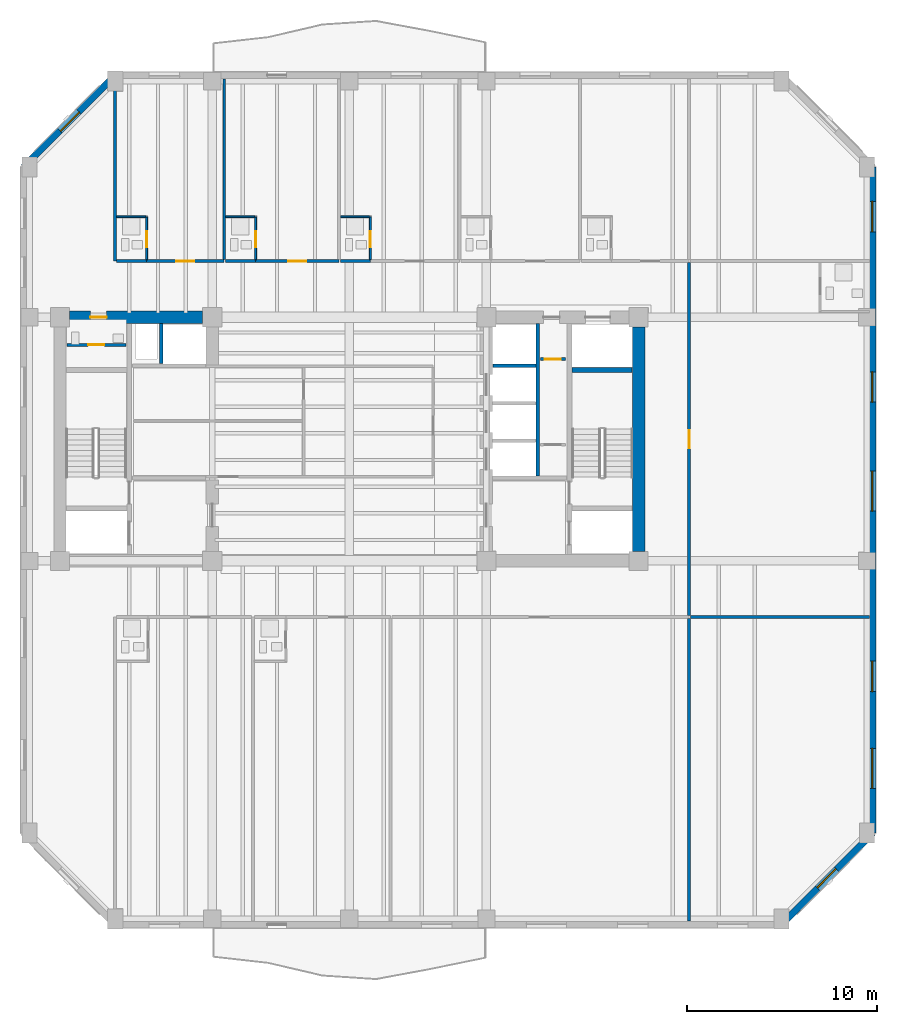
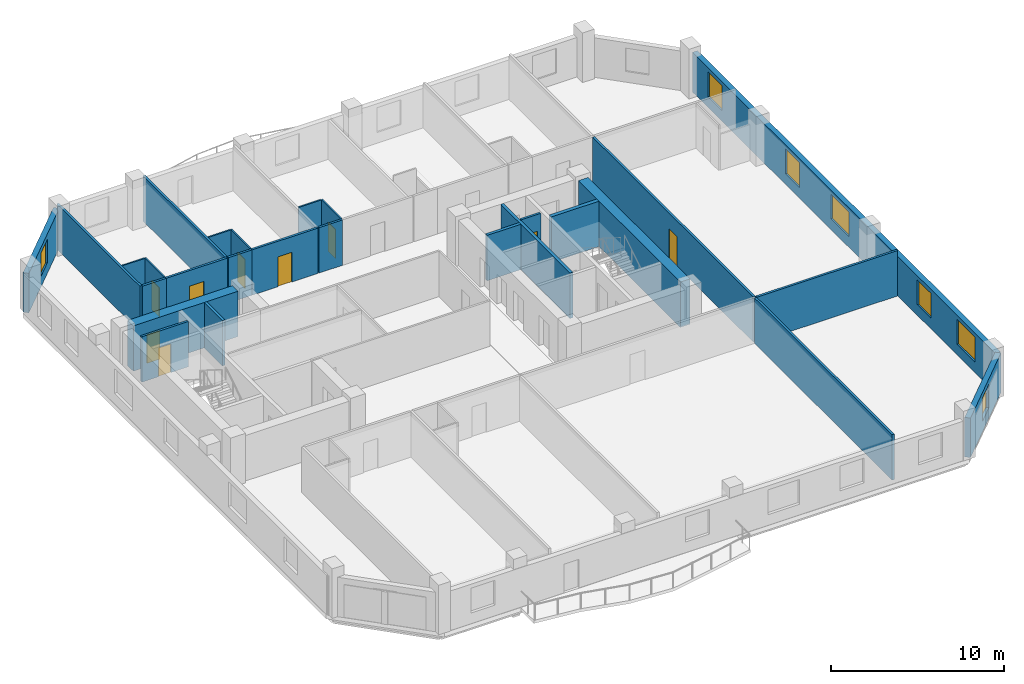
# One storey, part 4 of 9: 27 walls, 9 doors, 7 windows, 16 openings.
"""IFC4 building model written with IfcOpenShell, lengths in metres."""

from ifc_helpers import new_model, si_unit, direction, frame, frame_2d, origin, place, context, subcontext, project, spatial, rectangle, extrude, material, layer, layer_set, type_object, element, fill, save


model = new_model("IFC4")

# Units and contexts
model_context = context("Model", 3, precision=1e-05, world=origin(), true_north=direction((0.0, 1.0)))
body_context = subcontext(model_context, "Body", "Model", "MODEL_VIEW")
ifc_project = project(units=[si_unit("LENGTHUNIT", "METRE"), si_unit("AREAUNIT", "SQUARE_METRE"), si_unit("VOLUMEUNIT", "CUBIC_METRE"), si_unit("PLANEANGLEUNIT", "RADIAN"), si_unit("MASSUNIT", "GRAM", prefix="KILO")], contexts=[model_context])

# Site, building, storey
site_placement = place(None, origin())
site = spatial("IfcSite", under=ifc_project, at=site_placement, CompositionType="ELEMENT")
building_placement = place(site_placement, origin())
building = spatial("IfcBuilding", under=site, at=building_placement, Name="Kranthara Brick Stack", CompositionType="ELEMENT")
storey_placement = place(building_placement, frame((0.0, 0.0, 148.300048828125)))
storey = spatial("IfcBuildingStorey", under=building, at=storey_placement, Name="L37", CompositionType="ELEMENT", Elevation=148.300048828125)

# Wall, opening, window
ifc_material_1 = material(Name="Kiln-fired clay brick masonry M15", Category="masonry")
ifc_layer_1 = layer(ifc_material_1, 0.35009765625)
ifc_layer_set_1 = layer_set([ifc_layer_1], Name="Kiln-fired clay brick masonry M15")
wall_type_1 = type_object("IfcWallType", Name="WL-BRK-SPND-350", PredefinedType="STANDARD", material=ifc_layer_set_1)
wall_1_placement = place(storey_placement, frame((10.89501953125, 41.5, 0.0), z_axis=(0.0, 0.0, 1.0), x_axis=(0.707106781187, 0.707106781187, 0.0)))
wall_1 = element("IfcWall", 1, at=wall_1_placement, inside=storey, type_object=wall_type_1, Name="L37 Exterior Brick Facade Wall NW 1", PredefinedType="STANDARD", context=body_context, shape_type="SweptSolid", body=[
    extrude(rectangle(XDim=6.795166015625, YDim=0.35009765625, at=frame_2d((3.3974609375, 0.0))), origin(), (0.0, 0.0, 1.0), 2.784912109375),
])
opening_1_placement = place(wall_1_placement, frame((2.697998046875, 0.0, 0.75)))
opening_1 = element("IfcOpeningElement", 2, at=opening_1_placement, cuts=wall_1, Name="Opening WN10", PredefinedType="OPENING", context=body_context, shape_type="SweptSolid", body=[
    extrude(rectangle(XDim=1.39990234375, YDim=1.64990234375, at=frame_2d((0.699951171875, 0.824951171875))), frame((0.0, 0.18505859375, 0.0), z_axis=(0.0, -1.0, 0.0), x_axis=(1.0, 0.0, 0.0)), (0.0, 0.0, 1.0), 0.3701171875),
])
ifc_material_2 = material(Name="Double-glazed low-E solar control glass", Category="glass")
window_type_1 = type_object("IfcWindowType", Name="WN-CHM-1400x1750", PartitioningType="SINGLE_PANEL", PredefinedType="WINDOW", material=ifc_material_2)
window_1_placement = place(opening_1_placement, origin())
window_1 = element("IfcWindow", 3, at=window_1_placement, inside=storey, type_object=window_type_1, Name="L37 NW Chamfer Corner Window", OverallHeight=1.64990234375, OverallWidth=1.39990234375, PartitioningType="SINGLE_PANEL", PredefinedType="WINDOW", context=body_context, shape_type="SweptSolid", body=[
    extrude(rectangle(XDim=1.39990234375, YDim=1.64990234375, at=frame_2d((0.699951171875, 0.824951171875))), frame((0.0, -0.010009765625, 0.0), z_axis=(0.0, -1.0, 0.0), x_axis=(1.0, 0.0, 0.0)), (0.0, 0.0, 1.0), 0.06005859375),
])
fill(opening_1, window_1)

# Wall, openings, windows
wall_2_placement = place(storey_placement, frame((55.5048828125, 41.5, 0.0), z_axis=(0.0, 0.0, 1.0), x_axis=(0.0, -1.0, 0.0)))
wall_2 = element("IfcWall", 4, at=wall_2_placement, inside=storey, type_object=wall_type_1, Name="L37 Exterior Brick Facade Wall EAST 1", PredefinedType="STANDARD", context=body_context, shape_type="SweptSolid", body=[
    extrude(rectangle(XDim=35.0, YDim=0.35009765625, at=frame_2d((17.5, 0.0))), origin(), (0.0, 0.0, 1.0), 2.784912109375),
])
opening_2_placement = place(wall_2_placement, frame((1.81298828125, 0.0, 0.75)))
opening_2 = element("IfcOpeningElement", 5, at=opening_2_placement, cuts=wall_2, Name="Opening WN04", PredefinedType="OPENING", context=body_context, shape_type="SweptSolid", body=[
    extrude(rectangle(XDim=1.60009765625, YDim=1.75, at=frame_2d((0.800048828125, 0.875))), frame((0.0, 0.18505859375, 0.0), z_axis=(0.0, -1.0, 0.0), x_axis=(1.0, 0.0, 0.0)), (0.0, 0.0, 1.0), 0.3701171875),
])
opening_3_placement = place(wall_2_placement, frame((10.763916015625, 0.0, 0.75)))
opening_3 = element("IfcOpeningElement", 6, at=opening_3_placement, cuts=wall_2, Name="Opening WN04", PredefinedType="OPENING", context=body_context, shape_type="SweptSolid", body=[
    extrude(rectangle(XDim=1.60009765625, YDim=1.75, at=frame_2d((0.800048828125, 0.875))), frame((0.0, 0.18505859375, 0.0), z_axis=(0.0, -1.0, 0.0), x_axis=(1.0, 0.0, 0.0)), (0.0, 0.0, 1.0), 0.3701171875),
])
opening_4_placement = place(wall_2_placement, frame((15.986083984375, 0.0, 0.75)))
opening_4 = element("IfcOpeningElement", 7, at=opening_4_placement, cuts=wall_2, Name="Opening WN05", PredefinedType="OPENING", context=body_context, shape_type="SweptSolid", body=[
    extrude(rectangle(XDim=2.10009765625, YDim=1.75, at=frame_2d((1.050048828125, 0.875))), frame((0.0, 0.18505859375, 0.0), z_axis=(0.0, -1.0, 0.0), x_axis=(1.0, 0.0, 0.0)), (0.0, 0.0, 1.0), 0.3701171875),
])
opening_5_placement = place(wall_2_placement, frame((25.969970703125, 0.0, 0.75)))
opening_5 = element("IfcOpeningElement", 8, at=opening_5_placement, cuts=wall_2, Name="Opening WN04", PredefinedType="OPENING", context=body_context, shape_type="SweptSolid", body=[
    extrude(rectangle(XDim=1.60009765625, YDim=1.75, at=frame_2d((0.800048828125, 0.875))), frame((0.0, 0.18505859375, 0.0), z_axis=(0.0, -1.0, 0.0), x_axis=(1.0, 0.0, 0.0)), (0.0, 0.0, 1.0), 0.3701171875),
])
opening_6_placement = place(wall_2_placement, frame((30.554931640625, 0.0, 0.75)))
opening_6 = element("IfcOpeningElement", 9, at=opening_6_placement, cuts=wall_2, Name="Opening WN05", PredefinedType="OPENING", context=body_context, shape_type="SweptSolid", body=[
    extrude(rectangle(XDim=2.10009765625, YDim=1.75, at=frame_2d((1.050048828125, 0.875))), frame((0.0, 0.18505859375, 0.0), z_axis=(0.0, -1.0, 0.0), x_axis=(1.0, 0.0, 0.0)), (0.0, 0.0, 1.0), 0.3701171875),
])
ifc_material_3 = material(Name="Double-glazed low-E solar control glass", Category="glass")
window_type_2 = type_object("IfcWindowType", Name="WN-HTL-1600x1850", PartitioningType="DOUBLE_PANEL_VERTICAL", PredefinedType="WINDOW", material=ifc_material_3)
window_2_placement = place(opening_2_placement, origin())
window_2 = element("IfcWindow", 10, at=window_2_placement, inside=storey, type_object=window_type_2, Name="L37 East Deep-Set Brick Window 01", OverallHeight=1.75, OverallWidth=1.60009765625, PartitioningType="SINGLE_PANEL", PredefinedType="WINDOW", context=body_context, shape_type="SweptSolid", body=[
    extrude(rectangle(XDim=1.60009765625, YDim=1.75, at=frame_2d((0.800048828125, 0.875))), frame((0.0, -0.010009765625, 0.0), z_axis=(0.0, -1.0, 0.0), x_axis=(1.0, 0.0, 0.0)), (0.0, 0.0, 1.0), 0.06005859375),
])
fill(opening_2, window_2)
window_3_placement = place(opening_3_placement, origin())
window_3 = element("IfcWindow", 11, at=window_3_placement, inside=storey, type_object=window_type_2, Name="L37 East Deep-Set Brick Window 02", OverallHeight=1.75, OverallWidth=1.60009765625, PartitioningType="SINGLE_PANEL", PredefinedType="WINDOW", context=body_context, shape_type="SweptSolid", body=[
    extrude(rectangle(XDim=1.60009765625, YDim=1.75, at=frame_2d((0.800048828125, 0.875))), frame((0.0, -0.010009765625, 0.0), z_axis=(0.0, -1.0, 0.0), x_axis=(1.0, 0.0, 0.0)), (0.0, 0.0, 1.0), 0.06005859375),
])
fill(opening_3, window_3)
window_4_placement = place(opening_5_placement, origin())
window_4 = element("IfcWindow", 12, at=window_4_placement, inside=storey, type_object=window_type_2, Name="L37 East Deep-Set Brick Window 04", OverallHeight=1.75, OverallWidth=1.60009765625, PartitioningType="SINGLE_PANEL", PredefinedType="WINDOW", context=body_context, shape_type="SweptSolid", body=[
    extrude(rectangle(XDim=1.60009765625, YDim=1.75, at=frame_2d((0.800048828125, 0.875))), frame((0.0, -0.010009765625, 0.0), z_axis=(0.0, -1.0, 0.0), x_axis=(1.0, 0.0, 0.0)), (0.0, 0.0, 1.0), 0.06005859375),
])
fill(opening_5, window_4)
ifc_material_4 = material(Name="Double-glazed low-E solar control glass", Category="glass")
window_type_3 = type_object("IfcWindowType", Name="WN-HTL-2100x1850", PartitioningType="DOUBLE_PANEL_VERTICAL", PredefinedType="WINDOW", material=ifc_material_4)
window_5_placement = place(opening_4_placement, origin())
window_5 = element("IfcWindow", 13, at=window_5_placement, inside=storey, type_object=window_type_3, Name="L37 East Deep-Set Brick Window 03", OverallHeight=1.75, OverallWidth=2.10009765625, PartitioningType="SINGLE_PANEL", PredefinedType="WINDOW", context=body_context, shape_type="SweptSolid", body=[
    extrude(rectangle(XDim=2.10009765625, YDim=1.75, at=frame_2d((1.050048828125, 0.875))), frame((0.0, -0.010009765625, 0.0), z_axis=(0.0, -1.0, 0.0), x_axis=(1.0, 0.0, 0.0)), (0.0, 0.0, 1.0), 0.06005859375),
])
fill(opening_4, window_5)
window_6_placement = place(opening_6_placement, origin())
window_6 = element("IfcWindow", 14, at=window_6_placement, inside=storey, type_object=window_type_3, Name="L37 East Deep-Set Brick Window 05", OverallHeight=1.75, OverallWidth=2.10009765625, PartitioningType="SINGLE_PANEL", PredefinedType="WINDOW", context=body_context, shape_type="SweptSolid", body=[
    extrude(rectangle(XDim=2.10009765625, YDim=1.75, at=frame_2d((1.050048828125, 0.875))), frame((0.0, -0.010009765625, 0.0), z_axis=(0.0, -1.0, 0.0), x_axis=(1.0, 0.0, 0.0)), (0.0, 0.0, 1.0), 0.06005859375),
])
fill(opening_6, window_6)

# Wall, opening, window
wall_3_placement = place(storey_placement, frame((55.5048828125, 6.5, 0.0), z_axis=(0.0, 0.0, 1.0), x_axis=(-0.707106781187, -0.707106781187, 0.0)))
wall_3 = element("IfcWall", 15, at=wall_3_placement, inside=storey, type_object=wall_type_1, Name="L37 Exterior Brick Facade Wall SE 1", PredefinedType="STANDARD", context=body_context, shape_type="SweptSolid", body=[
    extrude(rectangle(XDim=6.795166015625, YDim=0.35009765625, at=frame_2d((3.3974609375, 0.0))), origin(), (0.0, 0.0, 1.0), 2.784912109375),
])
opening_7_placement = place(wall_3_placement, frame((2.697998046875, 0.0, 0.75)))
opening_7 = element("IfcOpeningElement", 16, at=opening_7_placement, cuts=wall_3, Name="Opening WN10", PredefinedType="OPENING", context=body_context, shape_type="SweptSolid", body=[
    extrude(rectangle(XDim=1.39990234375, YDim=1.64990234375, at=frame_2d((0.699951171875, 0.824951171875))), frame((0.0, 0.18505859375, 0.0), z_axis=(0.0, -1.0, 0.0), x_axis=(1.0, 0.0, 0.0)), (0.0, 0.0, 1.0), 0.3701171875),
])
window_7_placement = place(opening_7_placement, origin())
window_7 = element("IfcWindow", 17, at=window_7_placement, inside=storey, type_object=window_type_1, Name="L37 SE Chamfer Corner Window", OverallHeight=1.64990234375, OverallWidth=1.39990234375, PartitioningType="SINGLE_PANEL", PredefinedType="WINDOW", context=body_context, shape_type="SweptSolid", body=[
    extrude(rectangle(XDim=1.39990234375, YDim=1.64990234375, at=frame_2d((0.699951171875, 0.824951171875))), frame((0.0, -0.010009765625, 0.0), z_axis=(0.0, -1.0, 0.0), x_axis=(1.0, 0.0, 0.0)), (0.0, 0.0, 1.0), 0.06005859375),
])
fill(opening_7, window_7)

# Wall
ifc_material_5 = material(Name="Concrete C50/60", Category="concrete")
ifc_layer_2 = layer(ifc_material_5, 0.25)
ifc_layer_set_2 = layer_set([ifc_layer_2], Name="Concrete C50/60")
wall_type_2 = type_object("IfcWallType", Name="WL-CORE-250", PredefinedType="SHEAR", material=ifc_layer_set_2)
wall_4_placement = place(storey_placement, frame((39.68994140625, 30.830078125, 0.0), z_axis=(0.0, 0.0, 1.0), x_axis=(1.0, 0.0, 0.0)))
element("IfcWall", 18, at=wall_4_placement, inside=storey, type_object=wall_type_2, Name="L37 East Stairwell Bearing Wall EST", PredefinedType="SHEAR", context=body_context, shape_type="SweptSolid", body=[
    extrude(rectangle(XDim=3.175048828125, YDim=0.25, at=frame_2d((1.58740234375, 0.0))), origin(), (0.0, 0.0, 1.0), 3.199951171875),
])

# Wall, opening, door
ifc_material_6 = material(Name="Concrete C60/75", Category="concrete")
ifc_layer_3 = layer(ifc_material_6, 0.64990234375)
ifc_layer_set_3 = layer_set([ifc_layer_3], Name="Concrete C60/75")
wall_type_3 = type_object("IfcWallType", Name="WL-CORE-650", PredefinedType="SHEAR", material=ifc_layer_set_3)
wall_5_placement = place(storey_placement, frame((13.304931640625, 33.60009765625, 0.0), z_axis=(0.0, 0.0, 1.0), x_axis=(1.0, 0.0, 0.0)))
wall_5 = element("IfcWall", 19, at=wall_5_placement, inside=storey, type_object=wall_type_3, Name="L37 West Core Shear Wall North", PredefinedType="SHEAR", context=body_context, shape_type="SweptSolid", body=[
    extrude(rectangle(XDim=6.989990234375, YDim=0.64990234375, at=frame_2d((3.4951171875, 0.0))), origin(), (0.0, 0.0, 1.0), 3.199951171875),
])
opening_8_placement = place(wall_5_placement, frame((1.094970703125, 0.0, 0.0)))
opening_8 = element("IfcOpeningElement", 20, at=opening_8_placement, cuts=wall_5, Name="Opening D10", PredefinedType="OPENING", context=body_context, shape_type="SweptSolid", body=[
    extrude(rectangle(XDim=0.85009765625, YDim=2.02001953125, at=frame_2d((0.425048828125, 1.010009765625))), frame((0.0, 0.3349609375, 0.0), z_axis=(0.0, -1.0, 0.0), x_axis=(1.0, 0.0, 0.0)), (0.0, 0.0, 1.0), 0.669921875),
])
ifc_material_7 = material(Name="Solid-core hardwood timber leaf in steel frame", Category="steel")
door_type_1 = type_object("IfcDoorType", Name="DR-RSR-850", OperationType="NOTDEFINED", PredefinedType="DOOR", material=ifc_material_7)
door_1_placement = place(opening_8_placement, origin())
door_1 = element("IfcDoor", 21, at=door_1_placement, inside=storey, type_object=door_type_1, Name="L37 West Core Service Door 1", OperationType="SINGLE_SWING_LEFT", OverallHeight=2.02001953125, OverallWidth=0.85009765625, PredefinedType="DOOR", context=body_context, shape_type="SweptSolid", body=[
    extrude(rectangle(XDim=0.85009765625, YDim=2.02001953125, at=frame_2d((0.425048828125, 1.010009765625))), frame((0.0, 0.02490234375, 0.0), z_axis=(0.0, -1.0, 0.0), x_axis=(1.0, 0.0, 0.0)), (0.0, 0.0, 1.0), 0.050048828125),
])
fill(opening_8, door_1)

# Wall
wall_6_placement = place(storey_placement, frame((43.199951171875, 21.304931640625, 0.0), z_axis=(0.0, 0.0, 1.0), x_axis=(0.0, 1.0, 0.0)))
element("IfcWall", 22, at=wall_6_placement, inside=storey, type_object=wall_type_3, Name="L37 East Core Shear Wall East", PredefinedType="SHEAR", context=body_context, shape_type="SweptSolid", body=[
    extrude(rectangle(XDim=11.7900390625, YDim=0.64990234375, at=frame_2d((5.89501953125, 0.0))), origin(), (0.0, 0.0, 1.0), 3.199951171875),
])

# Wall, opening, door
ifc_material_8 = material(Name="Moisture-resistant wet-room partition", Category="other")
ifc_layer_4 = layer(ifc_material_8, 0.10009765625)
ifc_layer_set_4 = layer_set([ifc_layer_4], Name="Moisture-resistant wet-room partition")
wall_type_4 = type_object("IfcWallType", Name="WL-PART-100", PredefinedType="PARTITIONING", material=ifc_layer_set_4)
wall_7_placement = place(storey_placement, frame((17.35009765625, 36.6298828125, 0.0), z_axis=(0.0, 0.0, 1.0), x_axis=(0.0, 1.0, 0.0)))
wall_7 = element("IfcWall", 23, at=wall_7_placement, inside=storey, type_object=wall_type_4, Name="L37 Interior Partition 025", PredefinedType="PARTITIONING", context=body_context, shape_type="SweptSolid", body=[
    extrude(rectangle(XDim=2.25, YDim=0.10009765625, at=frame_2d((1.125, 0.0))), origin(), (0.0, 0.0, 1.0), 3.199951171875),
])
opening_9_placement = place(wall_7_placement, frame((0.639892578125, 0.0, 0.0)))
opening_9 = element("IfcOpeningElement", 24, at=opening_9_placement, cuts=wall_7, Name="Opening D17", PredefinedType="OPENING", context=body_context, shape_type="SweptSolid", body=[
    extrude(rectangle(XDim=0.85009765625, YDim=2.050048828125, at=frame_2d((0.425048828125, 1.02490234375))), frame((0.0, 0.06005859375, 0.0), z_axis=(0.0, -1.0, 0.0), x_axis=(1.0, 0.0, 0.0)), (0.0, 0.0, 1.0), 0.1201171875),
])
ifc_material_9 = material(Name="Solid-core hardwood timber leaf in steel frame", Category="steel")
door_type_2 = type_object("IfcDoorType", Name="DR-WET-850", OperationType="NOTDEFINED", PredefinedType="DOOR", material=ifc_material_9)
door_2_placement = place(opening_9_placement, origin())
door_2 = element("IfcDoor", 25, at=door_2_placement, inside=storey, type_object=door_type_2, Name="L37 Key 04 En-Suite Door 12", OperationType="SINGLE_SWING_RIGHT", OverallHeight=2.050048828125, OverallWidth=0.85009765625, PredefinedType="DOOR", context=body_context, shape_type="SweptSolid", body=[
    extrude(rectangle(XDim=0.85009765625, YDim=2.050048828125, at=frame_2d((0.425048828125, 1.02490234375))), frame((0.0, 0.02490234375, 0.0), z_axis=(0.0, -1.0, 0.0), x_axis=(1.0, 0.0, 0.0)), (0.0, 0.0, 1.0), 0.050048828125),
])
fill(opening_9, door_2)

# Wall
wall_8_placement = place(storey_placement, frame((15.780029296875, 38.8798828125, 0.0), z_axis=(0.0, 0.0, 1.0), x_axis=(1.0, 0.0, 0.0)))
element("IfcWall", 26, at=wall_8_placement, inside=storey, type_object=wall_type_4, Name="L37 Interior Partition 026", PredefinedType="PARTITIONING", context=body_context, shape_type="SweptSolid", body=[
    extrude(rectangle(XDim=1.514892578125, YDim=0.10009765625, at=frame_2d((0.75732421875, 0.0))), origin(), (0.0, 0.0, 1.0), 3.199951171875),
])

# Wall, opening, door
wall_9_placement = place(storey_placement, frame((23.077880859375, 36.6298828125, 0.0), z_axis=(0.0, 0.0, 1.0), x_axis=(0.0, 1.0, 0.0)))
wall_9 = element("IfcWall", 27, at=wall_9_placement, inside=storey, type_object=wall_type_4, Name="L37 Interior Partition 030", PredefinedType="PARTITIONING", context=body_context, shape_type="SweptSolid", body=[
    extrude(rectangle(XDim=2.25, YDim=0.10009765625, at=frame_2d((1.125, 0.0))), origin(), (0.0, 0.0, 1.0), 3.199951171875),
])
opening_10_placement = place(wall_9_placement, frame((0.639892578125, 0.0, 0.0)))
opening_10 = element("IfcOpeningElement", 28, at=opening_10_placement, cuts=wall_9, Name="Opening D17", PredefinedType="OPENING", context=body_context, shape_type="SweptSolid", body=[
    extrude(rectangle(XDim=0.85009765625, YDim=2.050048828125, at=frame_2d((0.425048828125, 1.02490234375))), frame((0.0, 0.06005859375, 0.0), z_axis=(0.0, -1.0, 0.0), x_axis=(1.0, 0.0, 0.0)), (0.0, 0.0, 1.0), 0.1201171875),
])
door_3_placement = place(opening_10_placement, origin())
door_3 = element("IfcDoor", 29, at=door_3_placement, inside=storey, type_object=door_type_2, Name="L37 Key 05 En-Suite Door 14", OperationType="SINGLE_SWING_RIGHT", OverallHeight=2.050048828125, OverallWidth=0.85009765625, PredefinedType="DOOR", context=body_context, shape_type="SweptSolid", body=[
    extrude(rectangle(XDim=0.85009765625, YDim=2.050048828125, at=frame_2d((0.425048828125, 1.02490234375))), frame((0.0, 0.02490234375, 0.0), z_axis=(0.0, -1.0, 0.0), x_axis=(1.0, 0.0, 0.0)), (0.0, 0.0, 1.0), 0.050048828125),
])
fill(opening_10, door_3)

# Wall
wall_10_placement = place(storey_placement, frame((21.508056640625, 38.8798828125, 0.0), z_axis=(0.0, 0.0, 1.0), x_axis=(1.0, 0.0, 0.0)))
element("IfcWall", 30, at=wall_10_placement, inside=storey, type_object=wall_type_4, Name="L37 Interior Partition 031", PredefinedType="PARTITIONING", context=body_context, shape_type="SweptSolid", body=[
    extrude(rectangle(XDim=1.514892578125, YDim=0.10009765625, at=frame_2d((0.75732421875, 0.0))), origin(), (0.0, 0.0, 1.0), 3.199951171875),
])

# Wall, opening, door
wall_11_placement = place(storey_placement, frame((29.10888671875, 36.6298828125, 0.0), z_axis=(0.0, 0.0, 1.0), x_axis=(0.0, 1.0, 0.0)))
wall_11 = element("IfcWall", 31, at=wall_11_placement, inside=storey, type_object=wall_type_4, Name="L37 Interior Partition 035", PredefinedType="PARTITIONING", context=body_context, shape_type="SweptSolid", body=[
    extrude(rectangle(XDim=2.25, YDim=0.10009765625, at=frame_2d((1.125, 0.0))), origin(), (0.0, 0.0, 1.0), 3.199951171875),
])
opening_11_placement = place(wall_11_placement, frame((0.639892578125, 0.0, 0.0)))
opening_11 = element("IfcOpeningElement", 32, at=opening_11_placement, cuts=wall_11, Name="Opening D17", PredefinedType="OPENING", context=body_context, shape_type="SweptSolid", body=[
    extrude(rectangle(XDim=0.85009765625, YDim=2.050048828125, at=frame_2d((0.425048828125, 1.02490234375))), frame((0.0, 0.06005859375, 0.0), z_axis=(0.0, -1.0, 0.0), x_axis=(1.0, 0.0, 0.0)), (0.0, 0.0, 1.0), 0.1201171875),
])
door_4_placement = place(opening_11_placement, origin())
door_4 = element("IfcDoor", 33, at=door_4_placement, inside=storey, type_object=door_type_2, Name="L37 Key 06 En-Suite Door 16", OperationType="SINGLE_SWING_RIGHT", OverallHeight=2.050048828125, OverallWidth=0.85009765625, PredefinedType="DOOR", context=body_context, shape_type="SweptSolid", body=[
    extrude(rectangle(XDim=0.85009765625, YDim=2.050048828125, at=frame_2d((0.425048828125, 1.02490234375))), frame((0.0, 0.02490234375, 0.0), z_axis=(0.0, -1.0, 0.0), x_axis=(1.0, 0.0, 0.0)), (0.0, 0.0, 1.0), 0.050048828125),
])
fill(opening_11, door_4)

# Wall
wall_12_placement = place(storey_placement, frame((27.5390625, 38.8798828125, 0.0), z_axis=(0.0, 0.0, 1.0), x_axis=(1.0, 0.0, 0.0)))
element("IfcWall", 34, at=wall_12_placement, inside=storey, type_object=wall_type_4, Name="L37 Interior Partition 036", PredefinedType="PARTITIONING", context=body_context, shape_type="SweptSolid", body=[
    extrude(rectangle(XDim=1.514892578125, YDim=0.10009765625, at=frame_2d((0.75732421875, 0.0))), origin(), (0.0, 0.0, 1.0), 3.199951171875),
])

# Wall, opening, door
ifc_material_10 = material(Name="Fire-rated gypsum board partition", Category="other")
ifc_layer_5 = layer(ifc_material_10, 0.14990234375)
ifc_layer_set_5 = layer_set([ifc_layer_5], Name="Fire-rated gypsum board partition")
wall_type_5 = type_object("IfcWallType", Name="WL-PART-150", PredefinedType="PARTITIONING", material=ifc_layer_set_5)
wall_13_placement = place(storey_placement, frame((13.179931640625, 32.14990234375, 0.0), z_axis=(0.0, 0.0, 1.0), x_axis=(1.0, 0.0, 0.0)))
wall_13 = element("IfcWall", 35, at=wall_13_placement, inside=storey, type_object=wall_type_5, Name="L37 Interior Partition 001", PredefinedType="PARTITIONING", context=body_context, shape_type="SweptSolid", body=[
    extrude(rectangle(XDim=3.10009765625, YDim=0.14990234375, at=frame_2d((1.550048828125, 0.0))), origin(), (0.0, 0.0, 1.0), 3.199951171875),
])
opening_12_placement = place(wall_13_placement, frame((1.10009765625, 0.0, 0.0)))
opening_12 = element("IfcOpeningElement", 36, at=opening_12_placement, cuts=wall_13, Name="Opening D10", PredefinedType="OPENING", context=body_context, shape_type="SweptSolid", body=[
    extrude(rectangle(XDim=0.85009765625, YDim=2.02001953125, at=frame_2d((0.425048828125, 1.010009765625))), frame((0.0, 0.0849609375, 0.0), z_axis=(0.0, -1.0, 0.0), x_axis=(1.0, 0.0, 0.0)), (0.0, 0.0, 1.0), 0.169921875),
])
door_5_placement = place(opening_12_placement, origin())
door_5 = element("IfcDoor", 37, at=door_5_placement, inside=storey, type_object=door_type_1, Name="L37 West Inner Riser Door 01", OperationType="SINGLE_SWING_LEFT", OverallHeight=2.02001953125, OverallWidth=0.85009765625, PredefinedType="DOOR", context=body_context, shape_type="SweptSolid", body=[
    extrude(rectangle(XDim=0.85009765625, YDim=2.02001953125, at=frame_2d((0.425048828125, 1.010009765625))), frame((0.0, 0.02490234375, 0.0), z_axis=(0.0, -1.0, 0.0), x_axis=(1.0, 0.0, 0.0)), (0.0, 0.0, 1.0), 0.050048828125),
])
fill(opening_12, door_5)

wall_14_placement = place(storey_placement, frame((38.050048828125, 31.39990234375, 0.0), z_axis=(0.0, 0.0, 1.0), x_axis=(1.0, 0.0, 0.0)))
wall_14 = element("IfcWall", 38, at=wall_14_placement, inside=storey, type_object=wall_type_5, Name="L37 Interior Partition 003", PredefinedType="PARTITIONING", context=body_context, shape_type="SweptSolid", body=[
    extrude(rectangle(XDim=1.300048828125, YDim=0.14990234375, at=frame_2d((0.64990234375, 0.0))), origin(), (0.0, 0.0, 1.0), 3.199951171875),
])
opening_13_placement = place(wall_14_placement, frame((0.219970703125, 0.0, 0.0)))
opening_13 = element("IfcOpeningElement", 39, at=opening_13_placement, cuts=wall_14, Name="Opening D10", PredefinedType="OPENING", context=body_context, shape_type="SweptSolid", body=[
    extrude(rectangle(XDim=0.85009765625, YDim=2.02001953125, at=frame_2d((0.425048828125, 1.010009765625))), frame((0.0, 0.0849609375, 0.0), z_axis=(0.0, -1.0, 0.0), x_axis=(1.0, 0.0, 0.0)), (0.0, 0.0, 1.0), 0.169921875),
])
door_6_placement = place(opening_13_placement, origin())
door_6 = element("IfcDoor", 40, at=door_6_placement, inside=storey, type_object=door_type_1, Name="L37 East Switch Door 03", OperationType="SINGLE_SWING_LEFT", OverallHeight=2.02001953125, OverallWidth=0.85009765625, PredefinedType="DOOR", context=body_context, shape_type="SweptSolid", body=[
    extrude(rectangle(XDim=0.85009765625, YDim=2.02001953125, at=frame_2d((0.425048828125, 1.010009765625))), frame((0.0, 0.02490234375, 0.0), z_axis=(0.0, -1.0, 0.0), x_axis=(1.0, 0.0, 0.0)), (0.0, 0.0, 1.0), 0.050048828125),
])
fill(opening_13, door_6)

# Walls
wall_15_placement = place(storey_placement, frame((45.85009765625, 1.875, 0.0), z_axis=(0.0, 0.0, 1.0), x_axis=(0.0, 1.0, 0.0)))
element("IfcWall", 41, at=wall_15_placement, inside=storey, type_object=wall_type_5, Name="L37 Interior Partition 021", PredefinedType="PARTITIONING", context=body_context, shape_type="SweptSolid", body=[
    extrude(rectangle(XDim=15.89501953125, YDim=0.14990234375, at=frame_2d((7.947509765625, 0.0))), origin(), (0.0, 0.0, 1.0), 3.199951171875),
])
wall_16_placement = place(storey_placement, frame((15.699951171875, 36.550048828125, 0.0), z_axis=(0.0, 0.0, 1.0), x_axis=(0.0, 1.0, 0.0)))
element("IfcWall", 42, at=wall_16_placement, inside=storey, type_object=wall_type_5, Name="L37 Interior Partition 022", PredefinedType="PARTITIONING", context=body_context, shape_type="SweptSolid", body=[
    extrude(rectangle(XDim=9.574951171875, YDim=0.14990234375, at=frame_2d((4.78759765625, 0.0))), origin(), (0.0, 0.0, 1.0), 3.199951171875),
])
wall_17_placement = place(storey_placement, frame((15.780029296875, 36.550048828125, 0.0), z_axis=(0.0, 0.0, 1.0), x_axis=(1.0, 0.0, 0.0)))
element("IfcWall", 43, at=wall_17_placement, inside=storey, type_object=wall_type_5, Name="L37 Interior Partition 023", PredefinedType="PARTITIONING", context=body_context, shape_type="SweptSolid", body=[
    extrude(rectangle(XDim=1.570068359375, YDim=0.14990234375, at=frame_2d((0.78515625, 0.0))), origin(), (0.0, 0.0, 1.0), 3.199951171875),
])

# Wall, opening, door
wall_18_placement = place(storey_placement, frame((17.35009765625, 36.550048828125, 0.0), z_axis=(0.0, 0.0, 1.0), x_axis=(1.0, 0.0, 0.0)))
wall_18 = element("IfcWall", 44, at=wall_18_placement, inside=storey, type_object=wall_type_5, Name="L37 Interior Partition 024", PredefinedType="PARTITIONING", context=body_context, shape_type="SweptSolid", body=[
    extrude(rectangle(XDim=4.077880859375, YDim=0.14990234375, at=frame_2d((2.0390625, 0.0))), origin(), (0.0, 0.0, 1.0), 3.199951171875),
])
opening_14_placement = place(wall_18_placement, frame((1.55908203125, 0.0, 0.0)))
opening_14 = element("IfcOpeningElement", 45, at=opening_14_placement, cuts=wall_18, Name="Opening D09", PredefinedType="OPENING", context=body_context, shape_type="SweptSolid", body=[
    extrude(rectangle(XDim=0.949951171875, YDim=2.10009765625, at=frame_2d((0.47509765625, 1.050048828125))), frame((0.0, 0.0849609375, 0.0), z_axis=(0.0, -1.0, 0.0), x_axis=(1.0, 0.0, 0.0)), (0.0, 0.0, 1.0), 0.169921875),
])
ifc_material_11 = material(Name="Solid-core hardwood timber leaf in steel frame", Category="steel")
door_type_3 = type_object("IfcDoorType", Name="DR-FD-950", OperationType="NOTDEFINED", PredefinedType="DOOR", material=ifc_material_11)
door_7_placement = place(opening_14_placement, origin())
door_7 = element("IfcDoor", 46, at=door_7_placement, inside=storey, type_object=door_type_3, Name="L37 Key 04 Entry 13", OperationType="SINGLE_SWING_LEFT", OverallHeight=2.10009765625, OverallWidth=0.949951171875, PredefinedType="DOOR", context=body_context, shape_type="SweptSolid", body=[
    extrude(rectangle(XDim=0.949951171875, YDim=2.10009765625, at=frame_2d((0.47509765625, 1.050048828125))), frame((0.0, 0.02490234375, 0.0), z_axis=(0.0, -1.0, 0.0), x_axis=(1.0, 0.0, 0.0)), (0.0, 0.0, 1.0), 0.050048828125),
])
fill(opening_14, door_7)

# Walls
wall_19_placement = place(storey_placement, frame((21.427978515625, 36.6298828125, 0.0), z_axis=(0.0, 0.0, 1.0), x_axis=(0.0, 1.0, 0.0)))
element("IfcWall", 47, at=wall_19_placement, inside=storey, type_object=wall_type_5, Name="L37 Interior Partition 027", PredefinedType="PARTITIONING", context=body_context, shape_type="SweptSolid", body=[
    extrude(rectangle(XDim=9.4951171875, YDim=0.14990234375, at=frame_2d((4.74755859375, 0.0))), origin(), (0.0, 0.0, 1.0), 3.199951171875),
])
wall_20_placement = place(storey_placement, frame((21.508056640625, 36.550048828125, 0.0), z_axis=(0.0, 0.0, 1.0), x_axis=(1.0, 0.0, 0.0)))
element("IfcWall", 48, at=wall_20_placement, inside=storey, type_object=wall_type_5, Name="L37 Interior Partition 028", PredefinedType="PARTITIONING", context=body_context, shape_type="SweptSolid", body=[
    extrude(rectangle(XDim=1.56982421875, YDim=0.14990234375, at=frame_2d((0.784912109375, 0.0))), origin(), (0.0, 0.0, 1.0), 3.199951171875),
])

# Wall, opening, door
wall_21_placement = place(storey_placement, frame((23.077880859375, 36.550048828125, 0.0), z_axis=(0.0, 0.0, 1.0), x_axis=(1.0, 0.0, 0.0)))
wall_21 = element("IfcWall", 49, at=wall_21_placement, inside=storey, type_object=wall_type_5, Name="L37 Interior Partition 029", PredefinedType="PARTITIONING", context=body_context, shape_type="SweptSolid", body=[
    extrude(rectangle(XDim=4.381103515625, YDim=0.14990234375, at=frame_2d((2.1904296875, 0.0))), origin(), (0.0, 0.0, 1.0), 3.199951171875),
])
opening_15_placement = place(wall_21_placement, frame((1.7099609375, 0.0, 0.0)))
opening_15 = element("IfcOpeningElement", 50, at=opening_15_placement, cuts=wall_21, Name="Opening D09", PredefinedType="OPENING", context=body_context, shape_type="SweptSolid", body=[
    extrude(rectangle(XDim=0.949951171875, YDim=2.10009765625, at=frame_2d((0.47509765625, 1.050048828125))), frame((0.0, 0.0849609375, 0.0), z_axis=(0.0, -1.0, 0.0), x_axis=(1.0, 0.0, 0.0)), (0.0, 0.0, 1.0), 0.169921875),
])
door_8_placement = place(opening_15_placement, origin())
door_8 = element("IfcDoor", 51, at=door_8_placement, inside=storey, type_object=door_type_3, Name="L37 Key 05 Entry 15", OperationType="SINGLE_SWING_LEFT", OverallHeight=2.10009765625, OverallWidth=0.949951171875, PredefinedType="DOOR", context=body_context, shape_type="SweptSolid", body=[
    extrude(rectangle(XDim=0.949951171875, YDim=2.10009765625, at=frame_2d((0.47509765625, 1.050048828125))), frame((0.0, 0.02490234375, 0.0), z_axis=(0.0, -1.0, 0.0), x_axis=(1.0, 0.0, 0.0)), (0.0, 0.0, 1.0), 0.050048828125),
])
fill(opening_15, door_8)

# Walls
wall_22_placement = place(storey_placement, frame((27.5390625, 36.550048828125, 0.0), z_axis=(0.0, 0.0, 1.0), x_axis=(1.0, 0.0, 0.0)))
element("IfcWall", 52, at=wall_22_placement, inside=storey, type_object=wall_type_5, Name="L37 Interior Partition 033", PredefinedType="PARTITIONING", context=body_context, shape_type="SweptSolid", body=[
    extrude(rectangle(XDim=1.56982421875, YDim=0.14990234375, at=frame_2d((0.784912109375, 0.0))), origin(), (0.0, 0.0, 1.0), 3.199951171875),
])
wall_23_placement = place(storey_placement, frame((45.929931640625, 17.85009765625, 0.0), z_axis=(0.0, 0.0, 1.0), x_axis=(1.0, 0.0, 0.0)))
element("IfcWall", 53, at=wall_23_placement, inside=storey, type_object=wall_type_5, Name="L37 Interior Partition 048", PredefinedType="PARTITIONING", context=body_context, shape_type="SweptSolid", body=[
    extrude(rectangle(XDim=9.39501953125, YDim=0.14990234375, at=frame_2d((4.697509765625, 0.0))), origin(), (0.0, 0.0, 1.0), 3.199951171875),
])

# Wall, opening, door
wall_24_placement = place(storey_placement, frame((45.85009765625, 17.929931640625, 0.0), z_axis=(0.0, 0.0, 1.0), x_axis=(0.0, 1.0, 0.0)))
wall_24 = element("IfcWall", 54, at=wall_24_placement, inside=storey, type_object=wall_type_5, Name="L37 Interior Partition 050", PredefinedType="PARTITIONING", context=body_context, shape_type="SweptSolid", body=[
    extrude(rectangle(XDim=18.5400390625, YDim=0.14990234375, at=frame_2d((9.27001953125, 0.0))), origin(), (0.0, 0.0, 1.0), 3.199951171875),
])
opening_16_placement = place(wall_24_placement, frame((8.7900390625, 0.0, 0.0)))
opening_16 = element("IfcOpeningElement", 55, at=opening_16_placement, cuts=wall_24, Name="Opening D09", PredefinedType="OPENING", context=body_context, shape_type="SweptSolid", body=[
    extrude(rectangle(XDim=0.949951171875, YDim=2.10009765625, at=frame_2d((0.47509765625, 1.050048828125))), frame((0.0, 0.0849609375, 0.0), z_axis=(0.0, -1.0, 0.0), x_axis=(1.0, 0.0, 0.0)), (0.0, 0.0, 1.0), 0.169921875),
])
door_9_placement = place(opening_16_placement, origin())
door_9 = element("IfcDoor", 56, at=door_9_placement, inside=storey, type_object=door_type_3, Name="L37 East Key 9 23", OperationType="SINGLE_SWING_LEFT", OverallHeight=2.10009765625, OverallWidth=0.949951171875, PredefinedType="DOOR", context=body_context, shape_type="SweptSolid", body=[
    extrude(rectangle(XDim=0.949951171875, YDim=2.10009765625, at=frame_2d((0.47509765625, 1.050048828125))), frame((0.0, 0.02490234375, 0.0), z_axis=(0.0, -1.0, 0.0), x_axis=(1.0, 0.0, 0.0)), (0.0, 0.0, 1.0), 0.050048828125),
])
fill(opening_16, door_9)

# Walls
ifc_material_12 = material(Name="Gypsum plasterboard on acoustic twin stud", Category="other")
ifc_layer_6 = layer(ifc_material_12, 0.179931640625)
ifc_layer_set_6 = layer_set([ifc_layer_6], Name="Gypsum plasterboard on acoustic twin stud")
wall_type_6 = type_object("IfcWallType", Name="WL-PART-180", PredefinedType="PARTITIONING", material=ifc_layer_set_6)
wall_25_placement = place(storey_placement, frame((18.1201171875, 31.169921875, 0.0), z_axis=(0.0, 0.0, 1.0), x_axis=(0.0, 1.0, 0.0)))
element("IfcWall", 57, at=wall_25_placement, inside=storey, type_object=wall_type_6, Name="L37 PL-07 Shaft Back Wall", PredefinedType="PARTITIONING", context=body_context, shape_type="SweptSolid", body=[
    extrude(rectangle(XDim=2.094970703125, YDim=0.179931640625, at=frame_2d((1.04736328125, 0.0))), origin(), (0.0, 0.0, 1.0), 3.199951171875),
])
ifc_material_13 = material(Name="Concrete C40/50", Category="concrete")
ifc_layer_7 = layer(ifc_material_13, 0.199951171875)
ifc_layer_set_7 = layer_set([ifc_layer_7], Name="Concrete C40/50")
wall_type_7 = type_object("IfcWallType", Name="WL-PART-200", PredefinedType="SOLIDWALL", material=ifc_layer_set_7)
wall_26_placement = place(storey_placement, frame((35.550048828125, 31.050048828125, 0.0), z_axis=(0.0, 0.0, 1.0), x_axis=(1.0, 0.0, 0.0)))
element("IfcWall", 58, at=wall_26_placement, inside=storey, type_object=wall_type_7, Name="L37 East Core Cross Wall EE4", PredefinedType="SOLIDWALL", context=body_context, shape_type="SweptSolid", body=[
    extrude(rectangle(XDim=2.25, YDim=0.199951171875, at=frame_2d((1.125, 0.0))), origin(), (0.0, 0.0, 1.0), 3.199951171875),
])
wall_27_placement = place(storey_placement, frame((37.89990234375, 25.27001953125, 0.0), z_axis=(0.0, 0.0, 1.0), x_axis=(0.0, 1.0, 0.0)))
element("IfcWall", 59, at=wall_27_placement, inside=storey, type_object=wall_type_7, Name="L37 East Core Cross Wall ESV", PredefinedType="SOLIDWALL", context=body_context, shape_type="SweptSolid", body=[
    extrude(rectangle(XDim=7.994873046875, YDim=0.199951171875, at=frame_2d((3.99755859375, 0.0))), origin(), (0.0, 0.0, 1.0), 3.199951171875),
])

save(model, "model.ifc")
